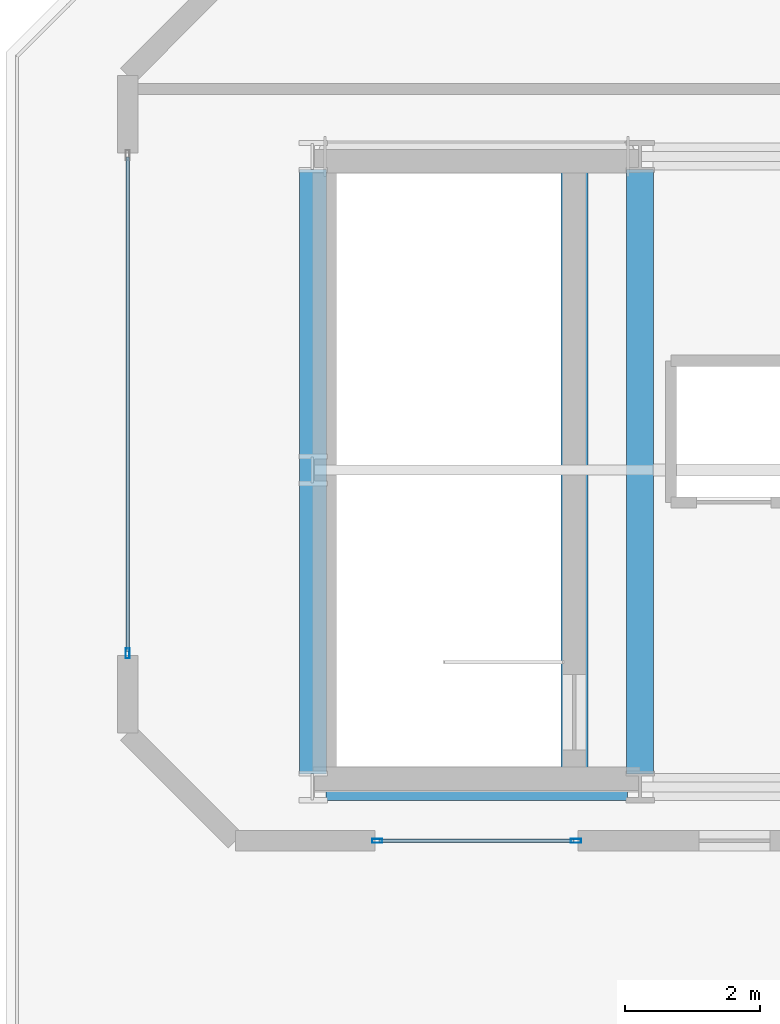
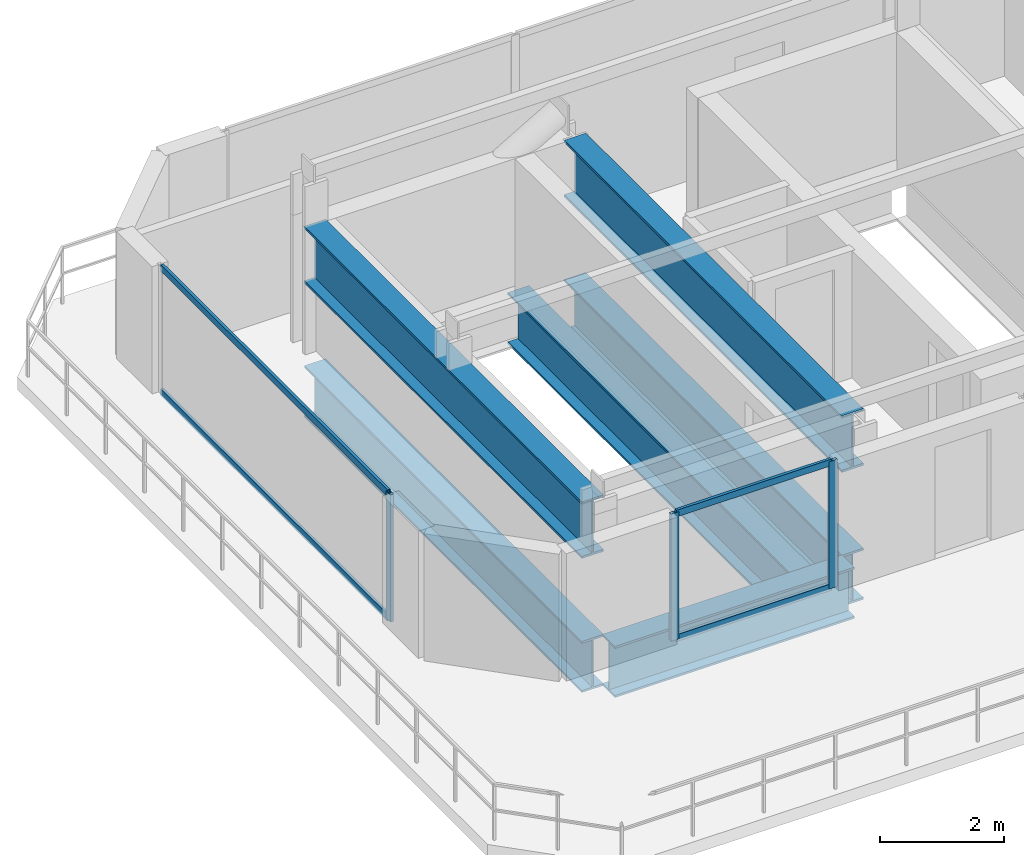
# One storey, part 2 of 9: 7 members, 6 beams, 2 elements without a shape of their own.
"""IFC4 building model written with IfcOpenShell, lengths in metres."""

from ifc_helpers import new_model, si_unit, direction, frame, origin, origin_2d, place, context, subcontext, project, spatial, hollow_rectangle, i_section, extrude, material, layer, layer_set, material_profile, profile_set, type_object, element, aggregate, save


model = new_model("IFC4")

# Units and contexts
model_context = context("Model", 3, precision=1e-05, world=origin(), true_north=direction((0.0, 1.0)))
body_context = subcontext(model_context, "Body", "Model", "MODEL_VIEW")
ifc_project = project(units=[si_unit("LENGTHUNIT", "METRE"), si_unit("AREAUNIT", "SQUARE_METRE"), si_unit("VOLUMEUNIT", "CUBIC_METRE"), si_unit("PLANEANGLEUNIT", "RADIAN"), si_unit("MASSUNIT", "GRAM", prefix="KILO")], contexts=[model_context])

# Site, building, storey
site_placement = place(None, origin())
site = spatial("IfcSite", under=ifc_project, at=site_placement, CompositionType="ELEMENT")
building_placement = place(site_placement, origin())
building = spatial("IfcBuilding", under=site, at=building_placement, Name="Zuhayl Quay Hotel", CompositionType="ELEMENT")
storey_placement = place(building_placement, frame((0.0, 0.0, 316.25)))
storey = spatial("IfcBuildingStorey", under=building, at=storey_placement, Name="Crown 6", CompositionType="ELEMENT", Elevation=316.25)

# Beams
ifc_material_1 = material(Name="Steel ASTM A913 Grade 65", Category="steel")
ifc_material_profile_1 = material_profile(ifc_material_1, i_section(OverallWidth=0.404052734375, OverallDepth=1.117919921875, WebThickness=0.026123046875, FlangeThickness=0.044921875, at=origin_2d()), Name="W44X335")
ifc_profile_set_1 = profile_set([ifc_material_profile_1], Name="Steel ASTM A913 Grade 65")
beam_type_1 = type_object("IfcBeamType", Name="BM_TG1_W44X335", PredefinedType="BEAM", material=ifc_profile_set_1)
for number, where, z_axis, x_axis, name in (
    (1, (-9.449951171875, 25.2900390625, 1.950927734375), (0.0, 1.0, 0.0), (-1.0, 0.0, 0.0), "Crown 6 Top Deck Girder 1"),
    (2, (-4.60009765625, 25.2900390625, 1.950927734375), (0.0, 1.0, 0.0), (-1.0, 0.0, 0.0), "Crown 6 Top Deck Girder 2"),
):
    element("IfcBeam", number, at=place(storey_placement, frame(where, z_axis=z_axis, x_axis=x_axis)), inside=storey, type_object=beam_type_1, Name=name, PredefinedType="BEAM", context=body_context, shape_type="SweptSolid", body=[
        extrude(i_section(OverallWidth=0.404052734375, OverallDepth=1.117919921875, WebThickness=0.026123046875, FlangeThickness=0.044921875, at=origin_2d()), origin(), (0.0, 0.0, 1.0), 8.969970703125),
    ])
ifc_material_2 = material(Name="Steel ASTM A992 Grade 50", Category="steel")
ifc_material_profile_2 = material_profile(ifc_material_2, i_section(OverallWidth=0.40087890625, OverallDepth=1.010986328125, WebThickness=0.023681640625, FlangeThickness=0.0419921875, at=origin_2d()), Name="W40X297")
ifc_profile_set_2 = profile_set([ifc_material_profile_2], Name="Steel ASTM A992 Grade 50")
beam_type_2 = type_object("IfcBeamType", Name="BM_TG2_W40X297", PredefinedType="BEAM", material=ifc_profile_set_2)
beam_1_placement = place(storey_placement, frame((-9.260009765625, 25.10009765625, -0.74560546875), z_axis=(1.0, 0.0, 0.0), x_axis=(0.0, 1.0, 0.0)))
element("IfcBeam", 3, at=beam_1_placement, inside=storey, type_object=beam_type_2, Name="Crown 6 Floor Beam CR_EW_6_1_1", PredefinedType="BEAM", context=body_context, shape_type="SweptSolid", body=[
    extrude(i_section(OverallWidth=0.40087890625, OverallDepth=1.010986328125, WebThickness=0.023681640625, FlangeThickness=0.0419921875, at=origin_2d()), origin(), (0.0, 0.0, 1.0), 4.469970703125),
])
for number, where, z_axis, x_axis, name in (
    (4, (-9.449951171875, 25.2900390625, -0.74560546875), (0.0, 1.0, 0.0), (-1.0, 0.0, 0.0), "Crown 6 Floor Beam CR_NS_6_1"),
    (5, (-4.60009765625, 25.2900390625, -0.74560546875), (0.0, 1.0, 0.0), (-1.0, 0.0, 0.0), "Crown 6 Floor Beam CR_NS_6_2"),
):
    element("IfcBeam", number, at=place(storey_placement, frame(where, z_axis=z_axis, x_axis=x_axis)), inside=storey, type_object=beam_type_2, Name=name, PredefinedType="BEAM", context=body_context, shape_type="SweptSolid", body=[
        extrude(i_section(OverallWidth=0.40087890625, OverallDepth=1.010986328125, WebThickness=0.023681640625, FlangeThickness=0.0419921875, at=origin_2d()), origin(), (0.0, 0.0, 1.0), 8.969970703125),
    ])
beam_2_placement = place(storey_placement, frame((-5.574951171875, 25.14990234375, -0.74560546875), z_axis=(0.0, 1.0, 0.0), x_axis=(-1.0, 0.0, 0.0)))
element("IfcBeam", 6, at=beam_2_placement, inside=storey, type_object=beam_type_2, Name="Crown 6 Floor Beam CR_ST5_E_6", PredefinedType="BEAM", context=body_context, shape_type="SweptSolid", body=[
    extrude(i_section(OverallWidth=0.40087890625, OverallDepth=1.010986328125, WebThickness=0.023681640625, FlangeThickness=0.0419921875, at=origin_2d()), origin(), (0.0, 0.0, 1.0), 9.25),
])

# Curtain wall, member
ifc_material_3 = material(Name="Anodised Aluminium 6063-T6", Category="aluminium")
ifc_layer = layer(ifc_material_3, 0.159912109375, Name="Anodised Aluminium 6063-T6", Category="aluminium")
ifc_layer_set = layer_set([ifc_layer], Name="Anodised Aluminium 6063-T6")
curtain_wall_type = type_object("IfcCurtainWallType", Name="CW_SYS_CRN", PredefinedType="USERDEFINED", material=ifc_layer_set)
curtain_wall_1_placement = place(storey_placement, origin())
curtain_wall_1 = element("IfcCurtainWall", 7, at=curtain_wall_1_placement, inside=storey, type_object=curtain_wall_type, Name="Crown 6 Curtain Wall ENV_CR6_E1_CW1", ObjectType="UNITISED CURTAIN WALL", PredefinedType="USERDEFINED")
ifc_material_4 = material(Name="Black-anodised aluminium 6063-T6", Category="aluminium")
ifc_material_profile_3 = material_profile(ifc_material_4, hollow_rectangle(XDim=0.06005859375, YDim=0.14990234375, WallThickness=0.00341796875, at=origin_2d()), Name="ALU150X60")
ifc_profile_set_3 = profile_set([ifc_material_profile_3], Name="Black-anodised aluminium 6063-T6")
member_type_1 = type_object("IfcMemberType", Name="MB_CW_MUL_150", PredefinedType="MULLION", material=ifc_profile_set_3)
member_1_placement = place(storey_placement, frame((-12.199951171875, 27.080078125, 0.0), z_axis=(0.0, 0.0, 1.0), x_axis=(-1.0, 0.0, 0.0)))
member_1 = element("IfcMember", 8, at=member_1_placement, type_object=member_type_1, Name="CW-CRN mullion 1", PredefinedType="MULLION", context=body_context, shape_type="SweptSolid", body=[
    extrude(hollow_rectangle(XDim=0.06005859375, YDim=0.14990234375, WallThickness=0.00341796875, at=origin_2d()), origin(), (0.0, 0.0, 1.0), 2.510009765625),
])

# Curtain wall, members
curtain_wall_2_placement = place(storey_placement, origin())
curtain_wall_2 = element("IfcCurtainWall", 9, at=curtain_wall_2_placement, inside=storey, type_object=curtain_wall_type, Name="Crown 6 Curtain Wall ENV_CR6_E7_CW2", ObjectType="UNITISED CURTAIN WALL", PredefinedType="USERDEFINED")
member_2_placement = place(storey_placement, frame((-5.550048828125, 24.300048828125, 0.0), z_axis=(0.0, 0.0, 1.0), x_axis=(0.0, -1.0, 0.0)))
member_2 = element("IfcMember", 10, at=member_2_placement, type_object=member_type_1, Name="CW-CRN mullion 1", PredefinedType="MULLION", context=body_context, shape_type="SweptSolid", body=[
    extrude(hollow_rectangle(XDim=0.06005859375, YDim=0.14990234375, WallThickness=0.00341796875, at=origin_2d()), origin(), (0.0, 0.0, 1.0), 2.510009765625),
])
member_3_placement = place(storey_placement, frame((-8.5, 24.300048828125, 0.0), z_axis=(0.0, 0.0, 1.0), x_axis=(0.0, -1.0, 0.0)))
member_3 = element("IfcMember", 11, at=member_3_placement, type_object=member_type_1, Name="CW-CRN mullion 2", PredefinedType="MULLION", context=body_context, shape_type="SweptSolid", body=[
    extrude(hollow_rectangle(XDim=0.06005859375, YDim=0.14990234375, WallThickness=0.00341796875, at=origin_2d()), origin(), (0.0, 0.0, 1.0), 2.510009765625),
])

# Member
ifc_material_profile_4 = material_profile(ifc_material_4, hollow_rectangle(XDim=0.054931640625, YDim=0.1298828125, WallThickness=0.0029296875, at=origin_2d()), Name="ALU130X55")
ifc_profile_set_4 = profile_set([ifc_material_profile_4], Name="Black-anodised aluminium 6063-T6")
member_type_2 = type_object("IfcMemberType", Name="MB_CW_TRN_130", PredefinedType="USERDEFINED", material=ifc_profile_set_4)
member_4_placement = place(storey_placement, frame((-12.199951171875, 27.110107421875, 0.027587890625), z_axis=(0.0, 1.0, 0.0), x_axis=(-1.0, 0.0, 0.0)))
member_4 = element("IfcMember", 12, at=member_4_placement, type_object=member_type_2, Name="CW-CRN transom 1.1", ObjectType="TRANSOM", PredefinedType="USERDEFINED", context=body_context, shape_type="SweptSolid", body=[
    extrude(hollow_rectangle(XDim=0.054931640625, YDim=0.1298828125, WallThickness=0.0029296875, at=origin_2d()), origin(), (0.0, 0.0, 1.0), 7.329833984375),
])

member_5_placement = place(storey_placement, frame((-12.199951171875, 27.110107421875, 2.482421875), z_axis=(0.0, 1.0, 0.0), x_axis=(-1.0, 0.0, 0.0)))
member_5 = element("IfcMember", 13, at=member_5_placement, type_object=member_type_2, Name="CW-CRN transom 1.2", ObjectType="TRANSOM", PredefinedType="USERDEFINED", context=body_context, shape_type="SweptSolid", body=[
    extrude(hollow_rectangle(XDim=0.054931640625, YDim=0.1298828125, WallThickness=0.0029296875, at=origin_2d()), origin(), (0.0, 0.0, 1.0), 7.329833984375),
])

aggregate(curtain_wall_1, [member_1, member_4, member_5])

member_6_placement = place(storey_placement, frame((-5.580078125, 24.300048828125, 0.027587890625), z_axis=(-1.0, 0.0, 0.0), x_axis=(0.0, -1.0, 0.0)))
member_6 = element("IfcMember", 14, at=member_6_placement, type_object=member_type_2, Name="CW-CRN transom 1.1", ObjectType="TRANSOM", PredefinedType="USERDEFINED", context=body_context, shape_type="SweptSolid", body=[
    extrude(hollow_rectangle(XDim=0.054931640625, YDim=0.1298828125, WallThickness=0.0029296875, at=origin_2d()), origin(), (0.0, 0.0, 1.0), 2.889892578125),
])

member_7_placement = place(storey_placement, frame((-5.580078125, 24.300048828125, 2.482421875), z_axis=(-1.0, 0.0, 0.0), x_axis=(0.0, -1.0, 0.0)))
member_7 = element("IfcMember", 15, at=member_7_placement, type_object=member_type_2, Name="CW-CRN transom 1.2", ObjectType="TRANSOM", PredefinedType="USERDEFINED", context=body_context, shape_type="SweptSolid", body=[
    extrude(hollow_rectangle(XDim=0.054931640625, YDim=0.1298828125, WallThickness=0.0029296875, at=origin_2d()), origin(), (0.0, 0.0, 1.0), 2.889892578125),
])

aggregate(curtain_wall_2, [member_2, member_3, member_6, member_7])

save(model, "model.ifc")
